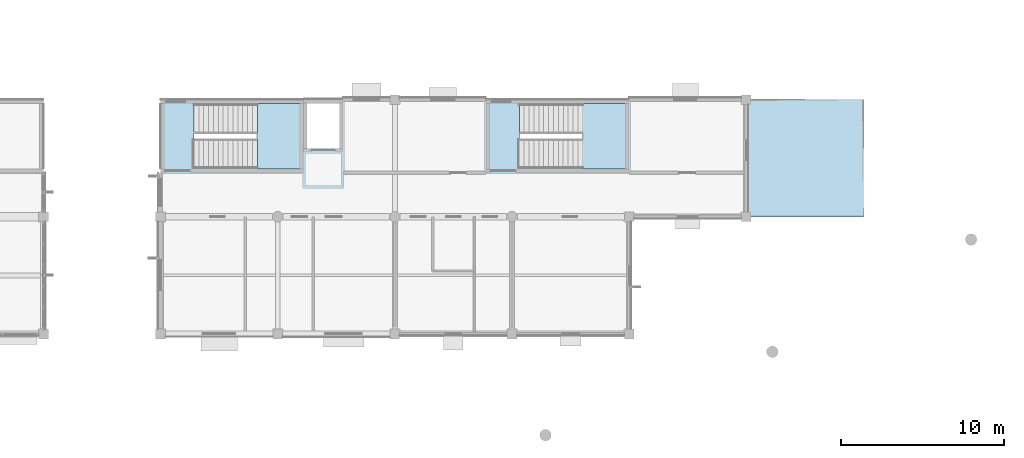
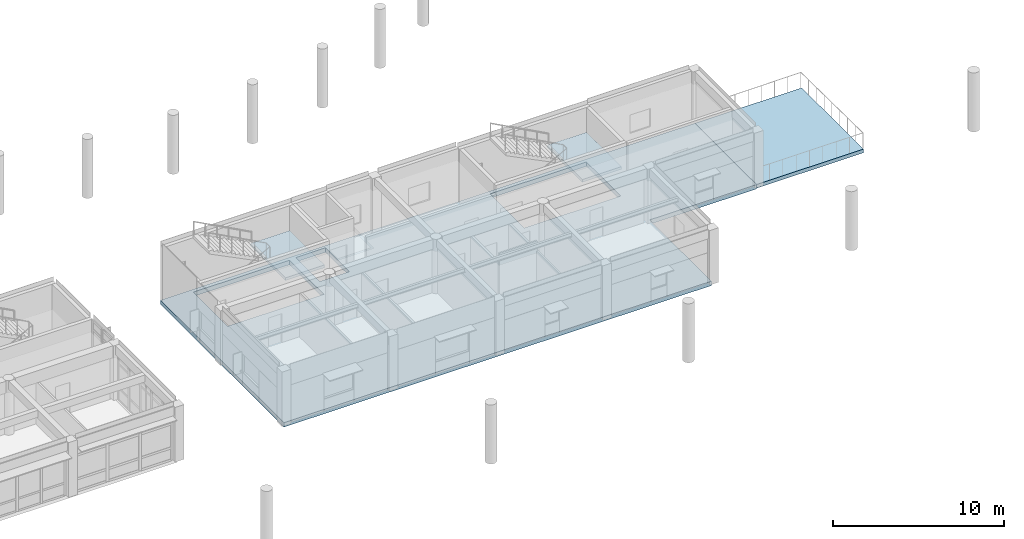
# One storey, part 17 of 55: 4 slabs, 2 elements without a shape of their own.
"""IFC4 building model written with IfcOpenShell, lengths in metres."""

import ifcopenshell
import ifcopenshell.guid

model = None  # the IFC model being written
_history = None  # IfcOwnerHistory: only IFC2X3 demands one
_inside = {}  # id of a spatial element -> (the spatial element, [elements in it])
_under = {}  # id of a project, library or spatial element -> (it, [spatial elements below it])
_declared = {}  # id of a project -> (the project, [libraries it declares])
_typed = {}  # id of a type object -> (the type object, [elements of that type])
_made_of = {}  # id of a material, layer set ... -> (it, [elements and type objects made of it])


def new_model(schema):
    """Start an empty IFC model of exactly this schema.

    Asked for "IFC4X3", IfcOpenShell would pick the latest addendum, in which some entities
    have other attributes; the version numbers below select the first issue.
    IFC2X3 requires an IfcOwnerHistory on every rooted entity: one is made here for all.
    """
    global model, _history
    if schema == "IFC4X3":
        model = ifcopenshell.file(schema_version=(4, 3, 0, 0))
    else:
        model = ifcopenshell.file(schema=schema)
    _inside.clear()
    _under.clear()
    _declared.clear()
    _typed.clear()
    _made_of.clear()
    _history = None
    if model.schema == "IFC2X3":
        org = make("IfcOrganization", Name="unknown")
        user = make(
            "IfcPersonAndOrganization",
            ThePerson=make("IfcPerson", FamilyName="unknown"),
            TheOrganization=org,
        )
        app = make(
            "IfcApplication",
            ApplicationDeveloper=org,
            Version="unknown",
            ApplicationFullName="unknown",
            ApplicationIdentifier="unknown",
        )
        _history = make(
            "IfcOwnerHistory",
            OwningUser=user,
            OwningApplication=app,
            ChangeAction="ADDED",
            CreationDate=0,
        )
    return model


def make(cls, **values):
    """One entity of the class cls with the attributes given. An attribute that is None is left unset."""
    return model.create_entity(
        cls, **{name: value for name, value in values.items() if value is not None}
    )


def rooted(cls, **values):
    """An entity with a GlobalId (a new one), such as an element, a storey or a relation."""
    return make(cls, GlobalId=ifcopenshell.guid.new(), OwnerHistory=_history, **values)


def si_unit(unit_type, name, prefix=None):
    """IfcSIUnit, for example si_unit("LENGTHUNIT", "METRE", prefix="MILLI")."""
    return make("IfcSIUnit", UnitType=unit_type, Prefix=prefix, Name=name)


def assignment(units):
    """IfcUnitAssignment: the units of a project."""
    return None if units is None else make("IfcUnitAssignment", Units=units)


def point(xyz):
    """IfcCartesianPoint."""
    return None if xyz is None else make("IfcCartesianPoint", Coordinates=xyz)


def direction(xyz):
    """IfcDirection."""
    return None if xyz is None else make("IfcDirection", DirectionRatios=xyz)


def frame(location, z_axis=None, x_axis=None):
    """IfcAxis2Placement3D, a coordinate frame: its origin and axes. An axis left out is left unset."""
    return make(
        "IfcAxis2Placement3D",
        Location=point(location),
        Axis=direction(z_axis),
        RefDirection=direction(x_axis),
    )


def origin():
    """The frame at (0, 0, 0) with its axes left unset."""
    return frame((0.0, 0.0, 0.0))


def place(relative_to, where):
    """IfcLocalPlacement: puts the frame where relative to a parent placement (None: the world)."""
    return make(
        "IfcLocalPlacement", PlacementRelTo=relative_to, RelativePlacement=where
    )


def context(
    kind, dimensions, precision=None, world=None, true_north=None, identifier=None
):
    """IfcGeometricRepresentationContext, for example the 3D "Model" context."""
    return make(
        "IfcGeometricRepresentationContext",
        ContextIdentifier=identifier,
        ContextType=kind,
        CoordinateSpaceDimension=dimensions,
        Precision=precision,
        WorldCoordinateSystem=world,
        TrueNorth=true_north,
    )


def subcontext(parent, identifier, kind, view, scale=None):
    """IfcGeometricRepresentationSubContext, for example "Body" below "Model"."""
    return make(
        "IfcGeometricRepresentationSubContext",
        ContextIdentifier=identifier,
        ContextType=kind,
        ParentContext=parent,
        TargetScale=scale,
        TargetView=view,
    )


def project(units=None, contexts=None):
    """IfcProject with its units and contexts."""
    return rooted(
        "IfcProject",
        Name="project",
        RepresentationContexts=contexts,
        UnitsInContext=assignment(units),
    )


def spatial(cls, under=None, at=None, **own):
    """A site, building, storey or space (cls), placed at a placement, below another one or the project."""
    s = rooted(cls, ObjectPlacement=at, **own)
    if under is not None:
        _under.setdefault(under.id(), (under, []))[1].append(s)
    return s


def polyline(points):
    """IfcPolyline through the points."""
    return make("IfcPolyline", Points=[point(p) for p in points])


def outline(outer, holes=None, kind="AREA"):
    """IfcArbitraryClosedProfileDef: a profile drawn as a closed curve; with holes, ...WithVoids."""
    if holes is None:
        return make("IfcArbitraryClosedProfileDef", ProfileType=kind, OuterCurve=outer)
    return make(
        "IfcArbitraryProfileDefWithVoids",
        ProfileType=kind,
        OuterCurve=outer,
        InnerCurves=holes,
    )


def extrude(swept, where, along, depth):
    """IfcExtrudedAreaSolid: the profile swept, set in the frame where, extruded along a direction by depth."""
    return make(
        "IfcExtrudedAreaSolid",
        SweptArea=swept,
        Position=where,
        ExtrudedDirection=direction(along),
        Depth=depth,
    )


def shape(context_of_items, identifier, shape_type, items):
    """IfcShapeRepresentation: the items that make up one representation, for example the "Body"."""
    return make(
        "IfcShapeRepresentation",
        ContextOfItems=context_of_items,
        RepresentationIdentifier=identifier,
        RepresentationType=shape_type,
        Items=items,
    )


def material(Name=None, Category=None):
    """IfcMaterial."""
    return make("IfcMaterial", Name=Name, Category=Category)


def layer(
    of_material, thickness, ventilated=None, Name=None, Category=None, Priority=None
):
    """IfcMaterialLayer: one layer of a wall or slab, of a material (None: an air gap)."""
    return make(
        "IfcMaterialLayer",
        Material=of_material,
        LayerThickness=thickness,
        IsVentilated=ventilated,
        Name=Name,
        Category=Category,
        Priority=Priority,
    )


def layer_set(layers, Name=None):
    """IfcMaterialLayerSet."""
    return make("IfcMaterialLayerSet", MaterialLayers=layers, LayerSetName=Name)


def made_of(thing, what):
    """Note that an element or type object is made of a material, layer set ...; save() writes the relation."""
    if what is not None:
        _made_of.setdefault(what.id(), (what, []))[1].append(thing)
    return thing


def type_object(cls, material=None, **own):
    """A type object (cls), such as IfcWallType, which elements share."""
    return made_of(rooted(cls, **own), material)


def element(
    cls,
    number,
    at=None,
    inside=None,
    cuts=None,
    type_object=None,
    material=None,
    context=None,
    identifier="Body",
    shape_type=None,
    held_by="IfcProductDefinitionShape",
    body=None,
    shapes=None,
    **own,
):
    """One element of the class cls, such as IfcWall. Its Tag is "e" and its number.

    at: its placement. inside: the storey or other place that contains it. cuts: it is an
    opening in that element (IfcRelVoidsElement). A single representation is given by context,
    identifier, shape_type and body (its items); several are given by shapes. held_by: the class
    of the entity that holds the representations. save() writes the other relations.
    """
    e = rooted(cls, Tag="e%d" % number, ObjectPlacement=at, **own)
    if body is not None:
        shapes = [shape(context, identifier, shape_type, body)]
    if shapes is not None:
        e.Representation = make(held_by, Representations=shapes)
    if inside is not None:
        _inside.setdefault(inside.id(), (inside, []))[1].append(e)
    if cuts is not None:
        rooted(
            "IfcRelVoidsElement", RelatingBuildingElement=cuts, RelatedOpeningElement=e
        )
    if type_object is not None:
        _typed.setdefault(type_object.id(), (type_object, []))[1].append(e)
    return made_of(e, material)


def aggregate(whole, parts):
    """IfcRelAggregates: a whole, such as a stair, and the parts it consists of."""
    return rooted("IfcRelAggregates", RelatingObject=whole, RelatedObjects=parts)


def save(model, path):
    """Write the relations noted so far, then the file.

    IfcRelAggregates (storeys below a building ...), IfcRelContainedInSpatialStructure (elements
    in a storey), IfcRelDefinesByType, IfcRelAssociatesMaterial and IfcRelDeclares: one each for
    every whole, place, type object, material and project.
    """
    for whole, parts in _under.values():
        aggregate(whole, parts)
    for where, things in _inside.values():
        rooted(
            "IfcRelContainedInSpatialStructure",
            RelatedElements=things,
            RelatingStructure=where,
        )
    for kind, things in _typed.values():
        rooted("IfcRelDefinesByType", RelatedObjects=things, RelatingType=kind)
    for what, things in _made_of.values():
        rooted("IfcRelAssociatesMaterial", RelatedObjects=things, RelatingMaterial=what)
    for by, libraries in _declared.values():
        rooted("IfcRelDeclares", RelatingContext=by, RelatedDefinitions=libraries)
    model.write(path)


model = new_model("IFC4")

# Units and contexts
model_context = context("Model", 3, precision=1e-05, world=origin(), true_north=direction((0.0, 1.0)))
body_context = subcontext(model_context, "Body", "Model", "MODEL_VIEW")
ifc_project = project(units=[si_unit("LENGTHUNIT", "METRE"), si_unit("AREAUNIT", "SQUARE_METRE"), si_unit("VOLUMEUNIT", "CUBIC_METRE"), si_unit("PLANEANGLEUNIT", "RADIAN"), si_unit("MASSUNIT", "GRAM", prefix="KILO")], contexts=[model_context])

# Site, building, storey
site_placement = place(None, origin())
site = spatial("IfcSite", under=ifc_project, at=site_placement, CompositionType="ELEMENT")
building_placement = place(site_placement, origin())
building = spatial("IfcBuilding", under=site, at=building_placement, Name="Namkhue Oval Health Centre", CompositionType="ELEMENT")
storey_placement = place(building_placement, frame((0.0, 0.0, 9.60009765625)))
storey = spatial("IfcBuildingStorey", under=building, at=storey_placement, Name="L02", CompositionType="ELEMENT", Elevation=9.60009765625)

# Slab
ifc_material_1 = material(Name="Reinforced concrete C30/37 (TCVN B35)", Category="concrete")
ifc_layer_1 = layer(ifc_material_1, 0.261962890625)
ifc_layer_set_1 = layer_set([ifc_layer_1], Name="Reinforced concrete C30/37 (TCVN B35)")
slab_type_1 = type_object("IfcSlabType", Name="EXTERIOR TERRACE SLAB 262", PredefinedType="FLOOR", material=ifc_layer_set_1)
slab_1_placement = place(storey_placement, frame((0.0, 0.0, -0.26220703125)))
element("IfcSlab", 1, at=slab_1_placement, inside=storey, type_object=slab_type_1, Name="Volume V5 L02 Exterior Roof Terrace Slab", PredefinedType="FLOOR", context=body_context, shape_type="SweptSolid", body=[
    extrude(outline(polyline([(129.60009765625, 21.60009765625), (136.800048828125, 21.60009765625), (136.800048828125, 28.800048828125), (129.60009765625, 28.800048828125), (129.60009765625, 21.60009765625)])), origin(), (0.0, 0.0, 1.0), 0.26220703125),
])

# Stair, slab
stair_type = type_object("IfcStairType", Name="DOGLEG EXIT STAIR H4200", PredefinedType="HALF_TURN_STAIR", material=ifc_material_1)
stair_1_placement = place(storey_placement, origin())
stair_1 = element("IfcStair", 2, at=stair_1_placement, inside=storey, type_object=stair_type, Name="Protected Exit Stair ST-09 L02", PredefinedType="HALF_TURN_STAIR")
ifc_layer_2 = layer(ifc_material_1, 0.195068359375)
ifc_layer_set_2 = layer_set([ifc_layer_2], Name="Reinforced concrete C30/37 (TCVN B35)")
slab_type_2 = type_object("IfcSlabType", Name="STAIR LANDING SLAB 195", PredefinedType="LANDING", material=ifc_layer_set_2)
slab_2_placement = place(storey_placement, frame((0.0, 0.0, 1.90478515625)))
slab_2 = element("IfcSlab", 3, at=slab_2_placement, type_object=slab_type_2, Name="ST-09 landing 1", PredefinedType="LANDING", context=body_context, shape_type="SweptSolid", body=[
    extrude(outline(polyline([(99.544921875, 24.52490234375), (102.175048828125, 24.52490234375), (102.175048828125, 28.574951171875), (99.544921875, 28.574951171875), (99.544921875, 24.52490234375)])), origin(), (0.0, 0.0, 1.0), 0.195068359375),
])
aggregate(stair_1, [slab_2])

stair_2_placement = place(storey_placement, origin())
stair_2 = element("IfcStair", 4, at=stair_2_placement, inside=storey, type_object=stair_type, Name="Protected Exit Stair ST-10 L02", PredefinedType="HALF_TURN_STAIR")
slab_3_placement = place(storey_placement, frame((0.0, 0.0, 1.90478515625)))
slab_3 = element("IfcSlab", 5, at=slab_3_placement, type_object=slab_type_2, Name="ST-10 landing 1", PredefinedType="LANDING", context=body_context, shape_type="SweptSolid", body=[
    extrude(outline(polyline([(119.544921875, 24.52490234375), (122.175048828125, 24.52490234375), (122.175048828125, 28.574951171875), (119.544921875, 28.574951171875), (119.544921875, 24.52490234375)])), origin(), (0.0, 0.0, 1.0), 0.195068359375),
])
aggregate(stair_2, [slab_3])

# Slab
ifc_material_2 = material(Name="Reinforced concrete C35/45 (TCVN B40)", Category="concrete")
ifc_layer_3 = layer(ifc_material_2, 0.31005859375)
ifc_layer_set_3 = layer_set([ifc_layer_3], Name="Reinforced concrete C35/45 (TCVN B40)")
slab_type_3 = type_object("IfcSlabType", Name="SUSPENDED FLOOR SLAB 310", PredefinedType="FLOOR", material=ifc_layer_set_3)
slab_4_placement = place(storey_placement, frame((0.0, 0.0, -0.31005859375)))
element("IfcSlab", 6, at=slab_4_placement, inside=storey, type_object=slab_type_3, Name="Volume V5 L02 Suspended Floor Slab", PredefinedType="FLOOR", context=body_context, shape_type="SweptSolid", body=[
    extrude(outline(polyline([(93.60009765625, 14.39990234375), (122.39990234375, 14.39990234375), (122.39990234375, 21.60009765625), (129.60009765625, 21.60009765625), (129.60009765625, 28.800048828125), (93.60009765625, 28.800048828125), (93.60009765625, 14.39990234375)]), holes=[polyline([(95.655029296875, 24.550048828125), (102.14990234375, 24.550048828125), (102.14990234375, 28.550048828125), (95.655029296875, 28.550048828125), (95.655029296875, 24.550048828125)]), polyline([(115.655029296875, 24.550048828125), (122.14990234375, 24.550048828125), (122.14990234375, 28.550048828125), (115.655029296875, 28.550048828125), (115.655029296875, 24.550048828125)]), polyline([(102.60009765625, 25.800048828125), (104.60009765625, 25.800048828125), (104.60009765625, 28.60009765625), (102.60009765625, 28.60009765625), (102.60009765625, 25.800048828125)])]), origin(), (0.0, 0.0, 1.0), 0.31005859375),
])

save(model, "model.ifc")
